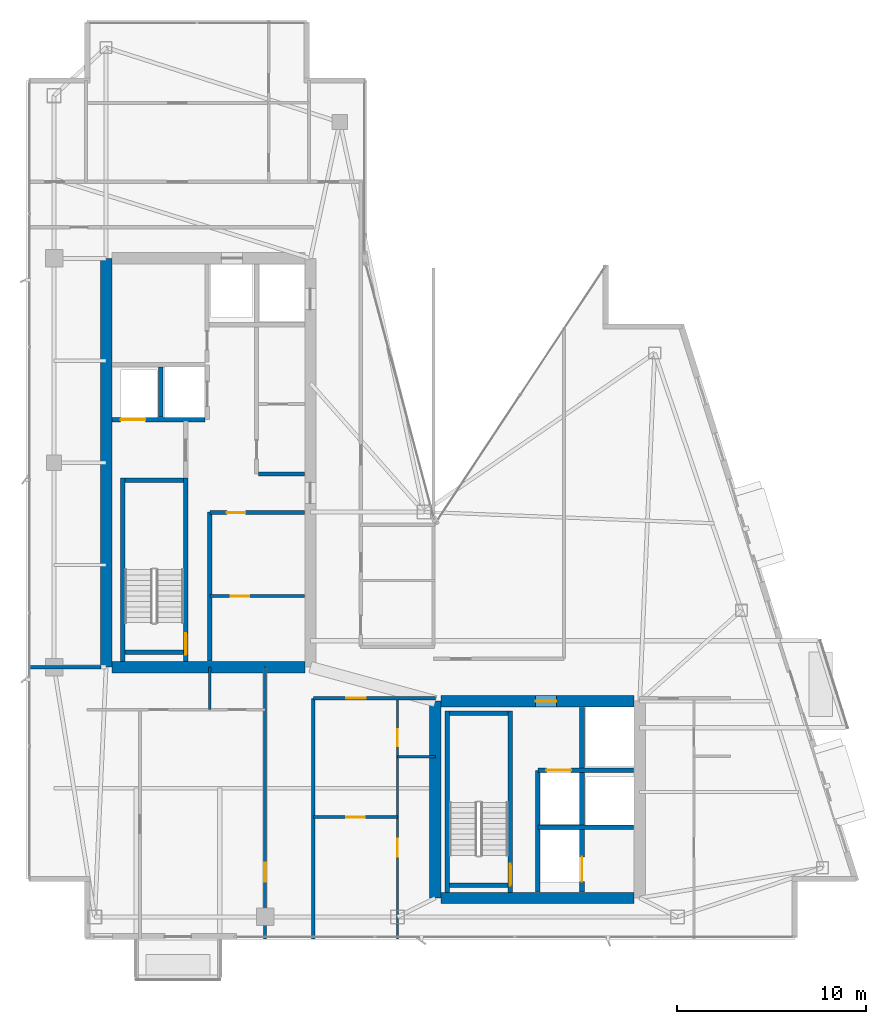
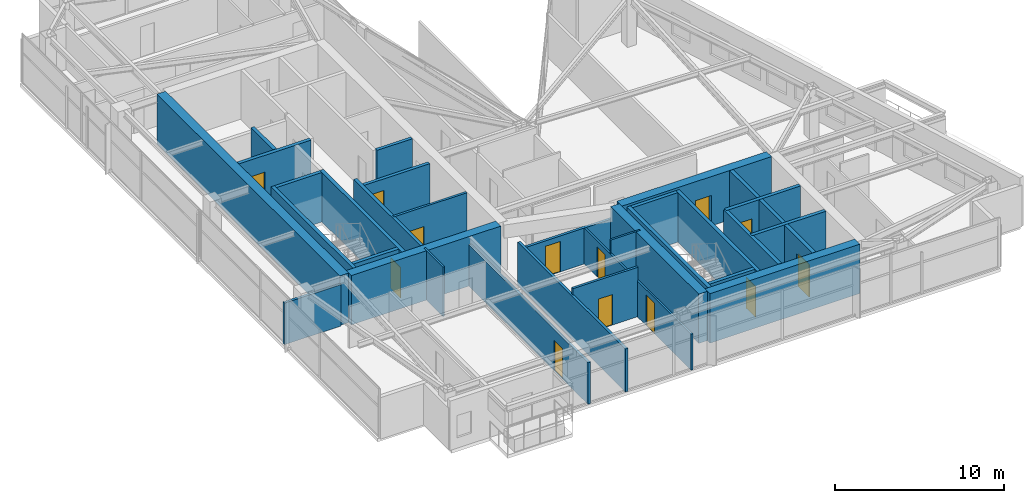
# One storey, part 23 of 28: 31 walls, 13 doors, 13 openings.
"""IFC4 building model written with IfcOpenShell, lengths in metres."""

from ifc_helpers import new_model, si_unit, direction, frame, frame_2d, origin, place, context, subcontext, project, spatial, rectangle, extrude, material, layer, layer_set, type_object, element, fill, save


model = new_model("IFC4")

# Units and contexts
model_context = context("Model", 3, precision=1e-05, world=origin(), true_north=direction((0.0, 1.0)))
body_context = subcontext(model_context, "Body", "Model", "MODEL_VIEW")
ifc_project = project(units=[si_unit("LENGTHUNIT", "METRE"), si_unit("AREAUNIT", "SQUARE_METRE"), si_unit("VOLUMEUNIT", "CUBIC_METRE"), si_unit("PLANEANGLEUNIT", "RADIAN"), si_unit("MASSUNIT", "GRAM", prefix="KILO")], contexts=[model_context])

# Site, building, storey
site_placement = place(None, origin())
site = spatial("IfcSite", under=ifc_project, at=site_placement, CompositionType="ELEMENT")
building_placement = place(site_placement, origin())
building = spatial("IfcBuilding", under=site, at=building_placement, Name="Calvorn Quay Hotel", CompositionType="ELEMENT")
storey_placement = place(building_placement, frame((0.0, 0.0, 271.10009765625)))
storey = spatial("IfcBuildingStorey", under=building, at=storey_placement, Name="L67", CompositionType="ELEMENT", Elevation=271.10009765625)

# Walls
ifc_material_1 = material(Name="Concrete C45", Category="concrete")
ifc_layer_1 = layer(ifc_material_1, 0.60009765625)
ifc_layer_set_1 = layer_set([ifc_layer_1], Name="WL-CORE-600")
wall_type_1 = type_object("IfcWallType", Name="WL-CORE-600", PredefinedType="SHEAR", material=ifc_layer_set_1)
wall_1_placement = place(storey_placement, frame((4.199951171875, 16.800048828125, 0.0), z_axis=(0.0, 0.0, 1.0), x_axis=(0.0, 1.0, 0.0)))
element("IfcWall", 1, at=wall_1_placement, inside=storey, type_object=wall_type_1, Name="West Core Shear Wall W (L67)", PredefinedType="SHEAR", context=body_context, shape_type="SweptSolid", body=[
    extrude(rectangle(XDim=21.599853515625, YDim=0.60009765625, at=frame_2d((10.7998046875, 0.0))), origin(), (0.0, 0.0, 1.0), 3.559814453125),
])
wall_2_placement = place(storey_placement, frame((4.5, 16.800048828125, 0.0), z_axis=(0.0, 0.0, 1.0), x_axis=(1.0, 0.0, 0.0)))
element("IfcWall", 2, at=wall_2_placement, inside=storey, type_object=wall_type_1, Name="West Core Shear Wall S (L67)", PredefinedType="SHEAR", context=body_context, shape_type="SweptSolid", body=[
    extrude(rectangle(XDim=10.199951171875, YDim=0.60009765625, at=frame_2d((5.10009765625, 0.0))), origin(), (0.0, 0.0, 1.0), 3.559814453125),
])
wall_3_placement = place(storey_placement, frame((21.60009765625, 4.60009765625, 0.0), z_axis=(0.0, 0.0, 1.0), x_axis=(0.0, 1.0, 0.0)))
element("IfcWall", 3, at=wall_3_placement, inside=storey, type_object=wall_type_1, Name="East Core Shear Wall W (L67)", PredefinedType="SHEAR", context=body_context, shape_type="SweptSolid", body=[
    extrude(rectangle(XDim=10.39990234375, YDim=0.60009765625, at=frame_2d((5.199951171875, 0.0))), origin(), (0.0, 0.0, 1.0), 3.559814453125),
])

# Wall, opening, door
wall_4_placement = place(storey_placement, frame((21.89990234375, 15.0, 0.0), z_axis=(0.0, 0.0, 1.0), x_axis=(1.0, 0.0, 0.0)))
wall_4 = element("IfcWall", 4, at=wall_4_placement, inside=storey, type_object=wall_type_1, Name="East Core Shear Wall N (L67)", PredefinedType="SHEAR", context=body_context, shape_type="SweptSolid", body=[
    extrude(rectangle(XDim=10.2001953125, YDim=0.60009765625, at=frame_2d((5.10009765625, 0.0))), origin(), (0.0, 0.0, 1.0), 3.559814453125),
])
opening_1_placement = place(wall_4_placement, frame((5.0, 0.0, 0.0)))
opening_1 = element("IfcOpeningElement", 5, at=opening_1_placement, cuts=wall_4, Name="Opening D-L67-FLE", PredefinedType="OPENING", context=body_context, shape_type="SweptSolid", body=[
    extrude(rectangle(XDim=1.10009765625, YDim=2.199951171875, at=frame_2d((0.550048828125, 1.10009765625))), frame((0.0, 0.31005859375, 0.0), z_axis=(0.0, -1.0, 0.0), x_axis=(1.0, 0.0, 0.0)), (0.0, 0.0, 1.0), 0.6201171875),
])
ifc_material_2 = material(Name="Smoke-Sealed Steel Class A Fire Door", Category="steel")
door_type_1 = type_object("IfcDoorType", Name="DR-FFLOBBY-1100", OperationType="NOTDEFINED", PredefinedType="DOOR", material=ifc_material_2)
door_1_placement = place(opening_1_placement, origin())
door_1 = element("IfcDoor", 6, at=door_1_placement, inside=storey, type_object=door_type_1, Name="East Firefighting Lobby Fire Door (L67)", OperationType="SINGLE_SWING_LEFT", OverallHeight=2.199951171875, OverallWidth=1.10009765625, PredefinedType="DOOR", context=body_context, shape_type="SweptSolid", body=[
    extrude(rectangle(XDim=1.10009765625, YDim=2.199951171875, at=frame_2d((0.550048828125, 1.10009765625))), frame((0.0, 0.02490234375, 0.0), z_axis=(0.0, -1.0, 0.0), x_axis=(1.0, 0.0, 0.0)), (0.0, 0.0, 1.0), 0.050048828125),
])
fill(opening_1, door_1)

# Walls
wall_5_placement = place(storey_placement, frame((21.89990234375, 4.60009765625, 0.0), z_axis=(0.0, 0.0, 1.0), x_axis=(1.0, 0.0, 0.0)))
element("IfcWall", 7, at=wall_5_placement, inside=storey, type_object=wall_type_1, Name="East Core Shear Wall S (L67)", PredefinedType="SHEAR", context=body_context, shape_type="SweptSolid", body=[
    extrude(rectangle(XDim=10.2001953125, YDim=0.60009765625, at=frame_2d((5.10009765625, 0.0))), origin(), (0.0, 0.0, 1.0), 3.559814453125),
])
ifc_material_3 = material(Name="Acoustic Fireboard Steel-Stud Partition", Category="steel")
ifc_layer_2 = layer(ifc_material_3, 0.179931640625)
ifc_layer_set_2 = layer_set([ifc_layer_2], Name="WL-CORR-FIRE-180")
wall_type_2 = type_object("IfcWallType", Name="WL-CORR-FIRE-180", PredefinedType="PARTITIONING", material=ifc_layer_set_2)
wall_6_placement = place(storey_placement, frame((0.080078125, 16.800048828125, 0.0), z_axis=(0.0, 0.0, 1.0), x_axis=(1.0, 0.0, 0.0)))
element("IfcWall", 8, at=wall_6_placement, inside=storey, type_object=wall_type_2, Name="Partition Wall L67-WL-WBAY-S-WALL", PredefinedType="PARTITIONING", context=body_context, shape_type="SweptSolid", body=[
    extrude(rectangle(XDim=3.849853515625, YDim=0.179931640625, at=frame_2d((1.9248046875, 0.0))), origin(), (0.0, 0.0, 1.0), 2.989990234375),
])

# Wall, opening, door
wall_7_placement = place(storey_placement, frame((12.60009765625, 2.43994140625, 0.0), z_axis=(0.0, 0.0, 1.0), x_axis=(0.0, 1.0, 0.0)))
wall_7 = element("IfcWall", 9, at=wall_7_placement, inside=storey, type_object=wall_type_2, Name="Partition Wall L67-WL-CORR-SW-LEG-W", PredefinedType="PARTITIONING", context=body_context, shape_type="SweptSolid", body=[
    extrude(rectangle(XDim=14.360107421875, YDim=0.179931640625, at=frame_2d((7.18017578125, 0.0))), origin(), (0.0, 0.0, 1.0), 2.989990234375),
])
opening_2_placement = place(wall_7_placement, frame((3.010009765625, 0.0, 0.0)))
opening_2 = element("IfcOpeningElement", 10, at=opening_2_placement, cuts=wall_7, Name="Opening D-L67-U01", PredefinedType="OPENING", context=body_context, shape_type="SweptSolid", body=[
    extrude(rectangle(XDim=1.02001953125, YDim=2.199951171875, at=frame_2d((0.510009765625, 1.10009765625))), frame((0.0, 0.099853515625, 0.0), z_axis=(0.0, -1.0, 0.0), x_axis=(1.0, 0.0, 0.0)), (0.0, 0.0, 1.0), 0.199951171875),
])
ifc_material_4 = material(Name="Solid-Core Walnut Veneer Hotel Fire Door")
door_type_2 = type_object("IfcDoorType", Name="DR-GUEST-ENTRY-1020", OperationType="NOTDEFINED", PredefinedType="DOOR", material=ifc_material_4)
door_2_placement = place(opening_2_placement, origin())
door_2 = element("IfcDoor", 11, at=door_2_placement, inside=storey, type_object=door_type_2, Name="South-West Unit Door U01 (L67)", OperationType="SINGLE_SWING_LEFT", OverallHeight=2.199951171875, OverallWidth=1.02001953125, PredefinedType="DOOR", context=body_context, shape_type="SweptSolid", body=[
    extrude(rectangle(XDim=1.02001953125, YDim=2.199951171875, at=frame_2d((0.510009765625, 1.10009765625))), frame((0.0, 0.02490234375, 0.0), z_axis=(0.0, -1.0, 0.0), x_axis=(1.0, 0.0, 0.0)), (0.0, 0.0, 1.0), 0.050048828125),
])
fill(opening_2, door_2)

# Wall
wall_8_placement = place(storey_placement, frame((15.14990234375, 2.43994140625, 0.0), z_axis=(0.0, 0.0, 1.0), x_axis=(0.0, 1.0, 0.0)))
element("IfcWall", 12, at=wall_8_placement, inside=storey, type_object=wall_type_2, Name="Partition Wall L67-WL-CORR-SW-W", PredefinedType="PARTITIONING", context=body_context, shape_type="SweptSolid", body=[
    extrude(rectangle(XDim=12.7099609375, YDim=0.179931640625, at=frame_2d((6.35498046875, 0.0))), origin(), (0.0, 0.0, 1.0), 3.08984375),
])

# Wall, opening, door
wall_9_placement = place(storey_placement, frame((15.14990234375, 15.14990234375, 0.0), z_axis=(0.0, 0.0, 1.0), x_axis=(1.0, 0.0, 0.0)))
wall_9 = element("IfcWall", 13, at=wall_9_placement, inside=storey, type_object=wall_type_2, Name="Partition Wall L67-WL-SC-CORR-S", PredefinedType="PARTITIONING", context=body_context, shape_type="SweptSolid", body=[
    extrude(rectangle(XDim=6.4501953125, YDim=0.179931640625, at=frame_2d((3.22509765625, 0.0))), origin(), (0.0, 0.0, 1.0), 2.58984375),
])
opening_3_placement = place(wall_9_placement, frame((1.739990234375, 0.0, 0.0)))
opening_3 = element("IfcOpeningElement", 14, at=opening_3_placement, cuts=wall_9, Name="Opening D-L67-U02", PredefinedType="OPENING", context=body_context, shape_type="SweptSolid", body=[
    extrude(rectangle(XDim=1.02001953125, YDim=2.199951171875, at=frame_2d((0.510009765625, 1.10009765625))), frame((0.0, 0.099853515625, 0.0), z_axis=(0.0, -1.0, 0.0), x_axis=(1.0, 0.0, 0.0)), (0.0, 0.0, 1.0), 0.199951171875),
])
door_3_placement = place(opening_3_placement, origin())
door_3 = element("IfcDoor", 15, at=door_3_placement, inside=storey, type_object=door_type_2, Name="Harbour Central Unit Door (L67)", OperationType="SINGLE_SWING_LEFT", OverallHeight=2.199951171875, OverallWidth=1.02001953125, PredefinedType="DOOR", context=body_context, shape_type="SweptSolid", body=[
    extrude(rectangle(XDim=1.02001953125, YDim=2.199951171875, at=frame_2d((0.510009765625, 1.10009765625))), frame((0.0, 0.02490234375, 0.0), z_axis=(0.0, -1.0, 0.0), x_axis=(1.0, 0.0, 0.0)), (0.0, 0.0, 1.0), 0.050048828125),
])
fill(opening_3, door_3)

# Walls
ifc_material_5 = material(Name="Moisture-Resistant Tile-Backed Partition")
ifc_layer_3 = layer(ifc_material_5, 0.125)
ifc_layer_set_3 = layer_set([ifc_layer_3], Name="WL-ENSUITE-125")
wall_type_3 = type_object("IfcWallType", Name="WL-ENSUITE-125", PredefinedType="PARTITIONING", material=ifc_layer_set_3)
wall_10_placement = place(storey_placement, frame((9.679931640625, 14.550048828125, 0.0), z_axis=(0.0, 0.0, 1.0), x_axis=(0.0, 1.0, 0.0)))
element("IfcWall", 16, at=wall_10_placement, inside=storey, type_object=wall_type_3, Name="Partition Wall L67-WL-U01-BDV", PredefinedType="PARTITIONING", context=body_context, shape_type="SweptSolid", body=[
    extrude(rectangle(XDim=2.25, YDim=0.125, at=frame_2d((1.125, 0.0))), origin(), (0.0, 0.0, 1.0), 3.559814453125),
])
wall_11_placement = place(storey_placement, frame((19.60009765625, 12.070068359375, 0.0), z_axis=(0.0, 0.0, 1.0), x_axis=(1.0, 0.0, 0.0)))
element("IfcWall", 17, at=wall_11_placement, inside=storey, type_object=wall_type_3, Name="Partition Wall L67-WL-U02-BDV", PredefinedType="PARTITIONING", context=body_context, shape_type="SweptSolid", body=[
    extrude(rectangle(XDim=2.0, YDim=0.125, at=frame_2d((1.0, 0.0))), origin(), (0.0, 0.0, 1.0), 3.559814453125),
])

# Wall, openings, doors
wall_12_placement = place(storey_placement, frame((19.60009765625, 2.43994140625, 0.0), z_axis=(0.0, 0.0, 1.0), x_axis=(0.0, 1.0, 0.0)))
wall_12 = element("IfcWall", 18, at=wall_12_placement, inside=storey, type_object=wall_type_3, Name="Partition Wall L67-WL-U02-BV", PredefinedType="PARTITIONING", context=body_context, shape_type="SweptSolid", body=[
    extrude(rectangle(XDim=12.7099609375, YDim=0.125, at=frame_2d((6.35498046875, 0.0))), origin(), (0.0, 0.0, 1.0), 2.58984375),
])
opening_4_placement = place(wall_12_placement, frame((4.340087890625, 0.0, 0.0)))
opening_4 = element("IfcOpeningElement", 19, at=opening_4_placement, cuts=wall_12, Name="Opening D-L67-S02", PredefinedType="OPENING", context=body_context, shape_type="SweptSolid", body=[
    extrude(rectangle(XDim=0.9599609375, YDim=2.199951171875, at=frame_2d((0.47998046875, 1.10009765625))), frame((0.0, 0.072509765625, 0.0), z_axis=(0.0, -1.0, 0.0), x_axis=(1.0, 0.0, 0.0)), (0.0, 0.0, 1.0), 0.14501953125),
])
opening_5_placement = place(wall_12_placement, frame((10.179931640625, 0.0, 0.0)))
opening_5 = element("IfcOpeningElement", 20, at=opening_5_placement, cuts=wall_12, Name="Opening D-L67-E02", PredefinedType="OPENING", context=body_context, shape_type="SweptSolid", body=[
    extrude(rectangle(XDim=0.89990234375, YDim=2.14990234375, at=frame_2d((0.449951171875, 1.074951171875))), frame((0.0, 0.072509765625, 0.0), z_axis=(0.0, -1.0, 0.0), x_axis=(1.0, 0.0, 0.0)), (0.0, 0.0, 1.0), 0.14501953125),
])
ifc_material_6 = material(Name="Moisture-Sealed Timber En-Suite Door", Category="wood")
door_type_3 = type_object("IfcDoorType", Name="DR-ENSUITE-900", OperationType="NOTDEFINED", PredefinedType="DOOR", material=ifc_material_6)
door_4_placement = place(opening_5_placement, origin())
door_4 = element("IfcDoor", 21, at=door_4_placement, inside=storey, type_object=door_type_3, Name="En-Suite Door 02", OperationType="SINGLE_SWING_RIGHT", OverallHeight=2.14990234375, OverallWidth=0.89990234375, PredefinedType="DOOR", context=body_context, shape_type="SweptSolid", body=[
    extrude(rectangle(XDim=0.89990234375, YDim=2.14990234375, at=frame_2d((0.449951171875, 1.074951171875))), frame((0.0, 0.02490234375, 0.0), z_axis=(0.0, -1.0, 0.0), x_axis=(1.0, 0.0, 0.0)), (0.0, 0.0, 1.0), 0.050048828125),
])
fill(opening_5, door_4)
ifc_material_7 = material(Name="Solid Timber Internal Suite Door", Category="wood")
door_type_4 = type_object("IfcDoorType", Name="DR-SUITE-INT-960", OperationType="NOTDEFINED", PredefinedType="DOOR", material=ifc_material_7)
door_5_placement = place(opening_4_placement, origin())
door_5 = element("IfcDoor", 22, at=door_5_placement, inside=storey, type_object=door_type_4, Name="Executive Study Door 02", OperationType="SINGLE_SWING_LEFT", OverallHeight=2.199951171875, OverallWidth=0.9599609375, PredefinedType="DOOR", context=body_context, shape_type="SweptSolid", body=[
    extrude(rectangle(XDim=0.9599609375, YDim=2.199951171875, at=frame_2d((0.47998046875, 1.10009765625))), frame((0.0, 0.02490234375, 0.0), z_axis=(0.0, -1.0, 0.0), x_axis=(1.0, 0.0, 0.0)), (0.0, 0.0, 1.0), 0.050048828125),
])
fill(opening_4, door_5)

# Wall, opening, door
ifc_material_8 = material(Name="Double-Stud Acoustic Gypsum Partition")
ifc_layer_4 = layer(ifc_material_8, 0.159912109375)
ifc_layer_set_4 = layer_set([ifc_layer_4], Name="WL-INTERSUITE-160")
wall_type_4 = type_object("IfcWallType", Name="WL-INTERSUITE-160", PredefinedType="PARTITIONING", material=ifc_layer_set_4)
wall_13_placement = place(storey_placement, frame((9.679931640625, 20.550048828125, 0.0), z_axis=(0.0, 0.0, 1.0), x_axis=(1.0, 0.0, 0.0)))
wall_13 = element("IfcWall", 23, at=wall_13_placement, inside=storey, type_object=wall_type_4, Name="Partition Wall L67-WL-CWW-FR-SPLIT", PredefinedType="PARTITIONING", context=body_context, shape_type="SweptSolid", body=[
    extrude(rectangle(XDim=5.0, YDim=0.159912109375, at=frame_2d((2.5, 0.0))), origin(), (0.0, 0.0, 1.0), 3.559814453125),
])
opening_6_placement = place(wall_13_placement, frame((1.10009765625, 0.0, 0.0)))
opening_6 = element("IfcOpeningElement", 24, at=opening_6_placement, cuts=wall_13, Name="Opening D-L67-FRL1", PredefinedType="OPENING", context=body_context, shape_type="SweptSolid", body=[
    extrude(rectangle(XDim=0.97998046875, YDim=2.14990234375, at=frame_2d((0.489990234375, 1.074951171875))), frame((0.0, 0.08984375, 0.0), z_axis=(0.0, -1.0, 0.0), x_axis=(1.0, 0.0, 0.0)), (0.0, 0.0, 1.0), 0.179931640625),
])
ifc_material_9 = material(Name="Painted Steel Housekeeping/Riser Fire Door", Category="steel")
door_type_5 = type_object("IfcDoorType", Name="DR-SERVICE-980", OperationType="NOTDEFINED", PredefinedType="DOOR", material=ifc_material_9)
door_6_placement = place(opening_6_placement, origin())
door_6 = element("IfcDoor", 25, at=door_6_placement, inside=storey, type_object=door_type_5, Name="Linen Store Room Door (L67)", OperationType="SINGLE_SWING_LEFT", OverallHeight=2.14990234375, OverallWidth=0.97998046875, PredefinedType="DOOR", context=body_context, shape_type="SweptSolid", body=[
    extrude(rectangle(XDim=0.97998046875, YDim=2.14990234375, at=frame_2d((0.489990234375, 1.074951171875))), frame((0.0, 0.02490234375, 0.0), z_axis=(0.0, -1.0, 0.0), x_axis=(1.0, 0.0, 0.0)), (0.0, 0.0, 1.0), 0.050048828125),
])
fill(opening_6, door_6)

wall_14_placement = place(storey_placement, frame((15.14990234375, 8.8701171875, 0.0), z_axis=(0.0, 0.0, 1.0), x_axis=(1.0, 0.0, 0.0)))
wall_14 = element("IfcWall", 26, at=wall_14_placement, inside=storey, type_object=wall_type_4, Name="Partition Wall L67-WL-U02-MSP", PredefinedType="PARTITIONING", context=body_context, shape_type="SweptSolid", body=[
    extrude(rectangle(XDim=4.4501953125, YDim=0.159912109375, at=frame_2d((2.22509765625, 0.0))), origin(), (0.0, 0.0, 1.0), 3.559814453125),
])
opening_7_placement = place(wall_14_placement, frame((1.75, 0.0, 0.0)))
opening_7 = element("IfcOpeningElement", 27, at=opening_7_placement, cuts=wall_14, Name="Opening D-L67-M02", PredefinedType="OPENING", context=body_context, shape_type="SweptSolid", body=[
    extrude(rectangle(XDim=0.9599609375, YDim=2.199951171875, at=frame_2d((0.47998046875, 1.10009765625))), frame((0.0, 0.08984375, 0.0), z_axis=(0.0, -1.0, 0.0), x_axis=(1.0, 0.0, 0.0)), (0.0, 0.0, 1.0), 0.179931640625),
])
door_7_placement = place(opening_7_placement, origin())
door_7 = element("IfcDoor", 28, at=door_7_placement, inside=storey, type_object=door_type_4, Name="Suite Bedroom Door 02", OperationType="SINGLE_SWING_LEFT", OverallHeight=2.199951171875, OverallWidth=0.9599609375, PredefinedType="DOOR", context=body_context, shape_type="SweptSolid", body=[
    extrude(rectangle(XDim=0.9599609375, YDim=2.199951171875, at=frame_2d((0.47998046875, 1.10009765625))), frame((0.0, 0.02490234375, 0.0), z_axis=(0.0, -1.0, 0.0), x_axis=(1.0, 0.0, 0.0)), (0.0, 0.0, 1.0), 0.050048828125),
])
fill(opening_7, door_7)

# Wall
ifc_material_10 = material(Name="Autoclaved Aerated Masonry Block", Category="masonry")
ifc_layer_5 = layer(ifc_material_10, 0.219970703125)
ifc_layer_set_5 = layer_set([ifc_layer_5], Name="WL-LOBBY-FIRE-220")
wall_type_5 = type_object("IfcWallType", Name="WL-LOBBY-FIRE-220", PredefinedType="SOLIDWALL", material=ifc_layer_set_5)
wall_15_placement = place(storey_placement, frame((9.679931640625, 17.1201171875, 0.0), z_axis=(0.0, 0.0, 1.0), x_axis=(0.0, 1.0, 0.0)))
element("IfcWall", 29, at=wall_15_placement, inside=storey, type_object=wall_type_5, Name="Partition Wall L67-WL-CWW-STW-HALL-E", PredefinedType="SOLIDWALL", context=body_context, shape_type="SweptSolid", body=[
    extrude(rectangle(XDim=7.8798828125, YDim=0.219970703125, at=frame_2d((3.93994140625, 0.0))), origin(), (0.0, 0.0, 1.0), 3.559814453125),
])

# Wall, opening, door
wall_16_placement = place(storey_placement, frame((9.679931640625, 24.969970703125, 0.0), z_axis=(0.0, 0.0, 1.0), x_axis=(1.0, 0.0, 0.0)))
wall_16 = element("IfcWall", 30, at=wall_16_placement, inside=storey, type_object=wall_type_5, Name="Partition Wall L67-WL-CWW-FR-N", PredefinedType="SOLIDWALL", context=body_context, shape_type="SweptSolid", body=[
    extrude(rectangle(XDim=5.0, YDim=0.219970703125, at=frame_2d((2.5, 0.0))), origin(), (0.0, 0.0, 1.0), 2.989990234375),
])
opening_8_placement = place(wall_16_placement, frame((0.89990234375, 0.0, 0.0)))
opening_8 = element("IfcOpeningElement", 31, at=opening_8_placement, cuts=wall_16, Name="Opening D-L67-FRL2", PredefinedType="OPENING", context=body_context, shape_type="SweptSolid", body=[
    extrude(rectangle(XDim=0.97998046875, YDim=2.14990234375, at=frame_2d((0.489990234375, 1.074951171875))), frame((0.0, 0.119873046875, 0.0), z_axis=(0.0, -1.0, 0.0), x_axis=(1.0, 0.0, 0.0)), (0.0, 0.0, 1.0), 0.239990234375),
])
door_8_placement = place(opening_8_placement, origin())
door_8 = element("IfcDoor", 32, at=door_8_placement, inside=storey, type_object=door_type_5, Name="Beverage Pantry Door (L67)", OperationType="SINGLE_SWING_RIGHT", OverallHeight=2.14990234375, OverallWidth=0.97998046875, PredefinedType="DOOR", context=body_context, shape_type="SweptSolid", body=[
    extrude(rectangle(XDim=0.97998046875, YDim=2.14990234375, at=frame_2d((0.489990234375, 1.074951171875))), frame((0.0, 0.02490234375, 0.0), z_axis=(0.0, -1.0, 0.0), x_axis=(1.0, 0.0, 0.0)), (0.0, 0.0, 1.0), 0.050048828125),
])
fill(opening_8, door_8)

# Walls
wall_17_placement = place(storey_placement, frame((12.25, 27.0, 0.0), z_axis=(0.0, 0.0, 1.0), x_axis=(1.0, 0.0, 0.0)))
element("IfcWall", 33, at=wall_17_placement, inside=storey, type_object=wall_type_5, Name="Partition Wall L67-WL-CWW-FM-S", PredefinedType="SOLIDWALL", context=body_context, shape_type="SweptSolid", body=[
    extrude(rectangle(XDim=2.429931640625, YDim=0.219970703125, at=frame_2d((1.21484375, 0.0))), origin(), (0.0, 0.0, 1.0), 3.559814453125),
])
ifc_material_11 = material(Name="Concrete C40", Category="concrete")
ifc_layer_6 = layer(ifc_material_11, 0.239990234375)
ifc_layer_set_6 = layer_set([ifc_layer_6], Name="WL-SHAFT-240")
wall_type_6 = type_object("IfcWallType", Name="WL-SHAFT-240", PredefinedType="SOLIDWALL", material=ifc_layer_set_6)
wall_18_placement = place(storey_placement, frame((5.080078125, 17.10009765625, 0.0), z_axis=(0.0, 0.0, 1.0), x_axis=(0.0, 1.0, 0.0)))
element("IfcWall", 34, at=wall_18_placement, inside=storey, type_object=wall_type_6, Name="Stair STW Shaft Wall W (L67)", PredefinedType="SOLIDWALL", context=body_context, shape_type="SweptSolid", body=[
    extrude(rectangle(XDim=9.68994140625, YDim=0.239990234375, at=frame_2d((4.844970703125, 0.0))), origin(), (0.0, 0.0, 1.0), 3.559814453125),
])

# Wall, opening, door
wall_19_placement = place(storey_placement, frame((8.419921875, 17.10009765625, 0.0), z_axis=(0.0, 0.0, 1.0), x_axis=(0.0, 1.0, 0.0)))
wall_19 = element("IfcWall", 35, at=wall_19_placement, inside=storey, type_object=wall_type_6, Name="Stair STW Shaft Wall E (L67)", PredefinedType="SOLIDWALL", context=body_context, shape_type="SweptSolid", body=[
    extrude(rectangle(XDim=9.68994140625, YDim=0.239990234375, at=frame_2d((4.844970703125, 0.0))), origin(), (0.0, 0.0, 1.0), 3.559814453125),
])
opening_9_placement = place(wall_19_placement, frame((0.35009765625, 0.0, 0.0)))
opening_9 = element("IfcOpeningElement", 36, at=opening_9_placement, cuts=wall_19, Name="Opening D-L67-STW", PredefinedType="OPENING", context=body_context, shape_type="SweptSolid", body=[
    extrude(rectangle(XDim=1.14990234375, YDim=2.199951171875, at=frame_2d((0.574951171875, 1.10009765625))), frame((0.0, 0.1298828125, 0.0), z_axis=(0.0, -1.0, 0.0), x_axis=(1.0, 0.0, 0.0)), (0.0, 0.0, 1.0), 0.260009765625),
])
ifc_material_12 = material(Name="Galvanised Steel Class A Fire Door", Category="steel")
door_type_6 = type_object("IfcDoorType", Name="DR-STAIR-SMOKE-1150", OperationType="NOTDEFINED", PredefinedType="DOOR", material=ifc_material_12)
door_9_placement = place(opening_9_placement, origin())
door_9 = element("IfcDoor", 37, at=door_9_placement, inside=storey, type_object=door_type_6, Name="Stair ST-W Fire Door (L67)", OperationType="SINGLE_SWING_LEFT", OverallHeight=2.199951171875, OverallWidth=1.14990234375, PredefinedType="DOOR", context=body_context, shape_type="SweptSolid", body=[
    extrude(rectangle(XDim=1.14990234375, YDim=2.199951171875, at=frame_2d((0.574951171875, 1.10009765625))), frame((0.0, 0.02490234375, 0.0), z_axis=(0.0, -1.0, 0.0), x_axis=(1.0, 0.0, 0.0)), (0.0, 0.0, 1.0), 0.050048828125),
])
fill(opening_9, door_9)

# Walls
for number, where, z_axis, x_axis, name in (
    (38, (5.199951171875, 17.580078125, 0.0), (0.0, 0.0, 1.0), (1.0, 0.0, 0.0), "Stair STW Shaft Wall S (L67)"),
    (39, (5.199951171875, 26.669921875, 0.0), (0.0, 0.0, 1.0), (1.0, 0.0, 0.0), "Stair STW Shaft Wall N (L67)"),
):
    element("IfcWall", number, at=place(storey_placement, frame(where, z_axis=z_axis, x_axis=x_axis)), inside=storey, type_object=wall_type_6, Name=name, PredefinedType="SOLIDWALL", context=body_context, shape_type="SweptSolid", body=[
        extrude(rectangle(XDim=3.10009765625, YDim=0.239990234375, at=frame_2d((1.550048828125, 0.0))), origin(), (0.0, 0.0, 1.0), 3.559814453125),
    ])
wall_20_placement = place(storey_placement, frame((22.22998046875, 4.89990234375, 0.0), z_axis=(0.0, 0.0, 1.0), x_axis=(0.0, 1.0, 0.0)))
element("IfcWall", 40, at=wall_20_placement, inside=storey, type_object=wall_type_6, Name="Stair STE Shaft Wall W (L67)", PredefinedType="SOLIDWALL", context=body_context, shape_type="SweptSolid", body=[
    extrude(rectangle(XDim=9.590087890625, YDim=0.239990234375, at=frame_2d((4.794921875, 0.0))), origin(), (0.0, 0.0, 1.0), 3.559814453125),
])

# Wall, opening, door
wall_21_placement = place(storey_placement, frame((25.570068359375, 4.89990234375, 0.0), z_axis=(0.0, 0.0, 1.0), x_axis=(0.0, 1.0, 0.0)))
wall_21 = element("IfcWall", 41, at=wall_21_placement, inside=storey, type_object=wall_type_6, Name="Stair STE Shaft Wall E (L67)", PredefinedType="SOLIDWALL", context=body_context, shape_type="SweptSolid", body=[
    extrude(rectangle(XDim=9.590087890625, YDim=0.239990234375, at=frame_2d((4.794921875, 0.0))), origin(), (0.0, 0.0, 1.0), 3.559814453125),
])
opening_10_placement = place(wall_21_placement, frame((0.35009765625, 0.0, 0.0)))
opening_10 = element("IfcOpeningElement", 42, at=opening_10_placement, cuts=wall_21, Name="Opening D-L67-STE", PredefinedType="OPENING", context=body_context, shape_type="SweptSolid", body=[
    extrude(rectangle(XDim=1.14990234375, YDim=2.199951171875, at=frame_2d((0.574951171875, 1.10009765625))), frame((0.0, 0.1298828125, 0.0), z_axis=(0.0, -1.0, 0.0), x_axis=(1.0, 0.0, 0.0)), (0.0, 0.0, 1.0), 0.260009765625),
])
door_10_placement = place(opening_10_placement, origin())
door_10 = element("IfcDoor", 43, at=door_10_placement, inside=storey, type_object=door_type_6, Name="Stair ST-E Fire Door (L67)", OperationType="SINGLE_SWING_RIGHT", OverallHeight=2.199951171875, OverallWidth=1.14990234375, PredefinedType="DOOR", context=body_context, shape_type="SweptSolid", body=[
    extrude(rectangle(XDim=1.14990234375, YDim=2.199951171875, at=frame_2d((0.574951171875, 1.10009765625))), frame((0.0, 0.02490234375, 0.0), z_axis=(0.0, -1.0, 0.0), x_axis=(1.0, 0.0, 0.0)), (0.0, 0.0, 1.0), 0.050048828125),
])
fill(opening_10, door_10)

# Walls
for number, where, z_axis, x_axis, name in (
    (44, (22.35009765625, 5.280029296875, 0.0), (0.0, 0.0, 1.0), (1.0, 0.0, 0.0), "Stair STE Shaft Wall S (L67)"),
    (45, (22.35009765625, 14.3701171875, 0.0), (0.0, 0.0, 1.0), (1.0, 0.0, 0.0), "Stair STE Shaft Wall N (L67)"),
):
    element("IfcWall", number, at=place(storey_placement, frame(where, z_axis=z_axis, x_axis=x_axis)), inside=storey, type_object=wall_type_6, Name=name, PredefinedType="SOLIDWALL", context=body_context, shape_type="SweptSolid", body=[
        extrude(rectangle(XDim=3.099853515625, YDim=0.239990234375, at=frame_2d((1.5498046875, 0.0))), origin(), (0.0, 0.0, 1.0), 3.559814453125),
    ])

# Wall, opening, door
wall_22_placement = place(storey_placement, frame((4.52001953125, 29.8798828125, 0.0), z_axis=(0.0, 0.0, 1.0), x_axis=(1.0, 0.0, 0.0)))
wall_22 = element("IfcWall", 46, at=wall_22_placement, inside=storey, type_object=wall_type_6, Name="Partition Wall L67-WL-CWW-FLW-S", PredefinedType="SOLIDWALL", context=body_context, shape_type="SweptSolid", body=[
    extrude(rectangle(XDim=4.89990234375, YDim=0.239990234375, at=frame_2d((2.449951171875, 0.0))), origin(), (0.0, 0.0, 1.0), 3.559814453125),
])
opening_11_placement = place(wall_22_placement, frame((0.449951171875, 0.0, 0.0)))
opening_11 = element("IfcOpeningElement", 47, at=opening_11_placement, cuts=wall_22, Name="Opening LD-L67-FLW1", PredefinedType="OPENING", context=body_context, shape_type="SweptSolid", body=[
    extrude(rectangle(XDim=1.300048828125, YDim=2.35009765625, at=frame_2d((0.64990234375, 1.175048828125))), frame((0.0, 0.1298828125, 0.0), z_axis=(0.0, -1.0, 0.0), x_axis=(1.0, 0.0, 0.0)), (0.0, 0.0, 1.0), 0.260009765625),
])
ifc_material_13 = material(Name="Champagne-Bronze Sliding Express Lift Landing Door")
door_type_7 = type_object("IfcDoorType", Name="DR-LIFT-SHUTTLE-1300", OperationType="NOTDEFINED", PredefinedType="DOOR", material=ifc_material_13)
door_11_placement = place(opening_11_placement, origin())
door_11 = element("IfcDoor", 48, at=door_11_placement, inside=storey, type_object=door_type_7, Name="Firefighting Lift FL-W1 Landing Door (L67)", OperationType="DOUBLE_DOOR_SLIDING", OverallHeight=2.35009765625, OverallWidth=1.300048828125, PredefinedType="DOOR", context=body_context, shape_type="SweptSolid", body=[
    extrude(rectangle(XDim=1.300048828125, YDim=2.35009765625, at=frame_2d((0.64990234375, 1.175048828125))), frame((0.0, 0.02490234375, 0.0), z_axis=(0.0, -1.0, 0.0), x_axis=(1.0, 0.0, 0.0)), (0.0, 0.0, 1.0), 0.050048828125),
])
fill(opening_11, door_11)

# Walls
wall_23_placement = place(storey_placement, frame((7.10009765625, 30.02001953125, 0.0), z_axis=(0.0, 0.0, 1.0), x_axis=(0.0, 1.0, 0.0)))
element("IfcWall", 49, at=wall_23_placement, inside=storey, type_object=wall_type_6, Name="Partition Wall L67-WL-CWW-FLW-DIV", PredefinedType="SOLIDWALL", context=body_context, shape_type="SweptSolid", body=[
    extrude(rectangle(XDim=2.6298828125, YDim=0.239990234375, at=frame_2d((1.31494140625, 0.0))), origin(), (0.0, 0.0, 1.0), 3.559814453125),
])
wall_24_placement = place(storey_placement, frame((27.02001953125, 4.919921875, 0.0), z_axis=(0.0, 0.0, 1.0), x_axis=(0.0, 1.0, 0.0)))
element("IfcWall", 50, at=wall_24_placement, inside=storey, type_object=wall_type_6, Name="Partition Wall L67-WL-CWE-SH-W", PredefinedType="SOLIDWALL", context=body_context, shape_type="SweptSolid", body=[
    extrude(rectangle(XDim=6.43017578125, YDim=0.239990234375, at=frame_2d((3.215087890625, 0.0))), origin(), (0.0, 0.0, 1.0), 3.559814453125),
])

# Wall, opening, door
wall_25_placement = place(storey_placement, frame((27.02001953125, 11.35009765625, 0.0), z_axis=(0.0, 0.0, 1.0), x_axis=(1.0, 0.0, 0.0)))
wall_25 = element("IfcWall", 51, at=wall_25_placement, inside=storey, type_object=wall_type_6, Name="Partition Wall L67-WL-CWE-FFL-S", PredefinedType="SOLIDWALL", context=body_context, shape_type="SweptSolid", body=[
    extrude(rectangle(XDim=5.06005859375, YDim=0.239990234375, at=frame_2d((2.530029296875, 0.0))), origin(), (0.0, 0.0, 1.0), 3.559814453125),
])
opening_12_placement = place(wall_25_placement, frame((0.449951171875, 0.0, 0.0)))
opening_12 = element("IfcOpeningElement", 52, at=opening_12_placement, cuts=wall_25, Name="Opening LD-L67-FLE1", PredefinedType="OPENING", context=body_context, shape_type="SweptSolid", body=[
    extrude(rectangle(XDim=1.300048828125, YDim=2.35009765625, at=frame_2d((0.64990234375, 1.175048828125))), frame((0.0, 0.1298828125, 0.0), z_axis=(0.0, -1.0, 0.0), x_axis=(1.0, 0.0, 0.0)), (0.0, 0.0, 1.0), 0.260009765625),
])
door_12_placement = place(opening_12_placement, origin())
door_12 = element("IfcDoor", 53, at=door_12_placement, inside=storey, type_object=door_type_7, Name="Firefighting Lift FL-E1 Landing Door (L67)", OperationType="DOUBLE_DOOR_SLIDING", OverallHeight=2.35009765625, OverallWidth=1.300048828125, PredefinedType="DOOR", context=body_context, shape_type="SweptSolid", body=[
    extrude(rectangle(XDim=1.300048828125, YDim=2.35009765625, at=frame_2d((0.64990234375, 1.175048828125))), frame((0.0, 0.02490234375, 0.0), z_axis=(0.0, -1.0, 0.0), x_axis=(1.0, 0.0, 0.0)), (0.0, 0.0, 1.0), 0.050048828125),
])
fill(opening_12, door_12)

# Wall
wall_26_placement = place(storey_placement, frame((27.02001953125, 8.35009765625, 0.0), z_axis=(0.0, 0.0, 1.0), x_axis=(1.0, 0.0, 0.0)))
element("IfcWall", 54, at=wall_26_placement, inside=storey, type_object=wall_type_6, Name="Partition Wall L67-WL-CWE-SL-N", PredefinedType="SOLIDWALL", context=body_context, shape_type="SweptSolid", body=[
    extrude(rectangle(XDim=5.06005859375, YDim=0.239990234375, at=frame_2d((2.530029296875, 0.0))), origin(), (0.0, 0.0, 1.0), 3.559814453125),
])

# Wall, opening, door
wall_27_placement = place(storey_placement, frame((29.35009765625, 4.919921875, 0.0), z_axis=(0.0, 0.0, 1.0), x_axis=(0.0, 1.0, 0.0)))
wall_27 = element("IfcWall", 55, at=wall_27_placement, inside=storey, type_object=wall_type_6, Name="Partition Wall L67-WL-CWE-OB-W", PredefinedType="SOLIDWALL", context=body_context, shape_type="SweptSolid", body=[
    extrude(rectangle(XDim=9.760009765625, YDim=0.239990234375, at=frame_2d((4.8798828125, 0.0))), origin(), (0.0, 0.0, 1.0), 3.559814453125),
])
opening_13_placement = place(wall_27_placement, frame((0.550048828125, 0.0, 0.0)))
opening_13 = element("IfcOpeningElement", 56, at=opening_13_placement, cuts=wall_27, Name="Opening LD-L67-SLEI", PredefinedType="OPENING", context=body_context, shape_type="SweptSolid", body=[
    extrude(rectangle(XDim=1.300048828125, YDim=2.35009765625, at=frame_2d((0.64990234375, 1.175048828125))), frame((0.0, 0.1298828125, 0.0), z_axis=(0.0, -1.0, 0.0), x_axis=(1.0, 0.0, 0.0)), (0.0, 0.0, 1.0), 0.260009765625),
])
door_13_placement = place(opening_13_placement, origin())
door_13 = element("IfcDoor", 57, at=door_13_placement, inside=storey, type_object=door_type_7, Name="Service Lift SL-E1 Landing Door (L67)", OperationType="DOUBLE_DOOR_SLIDING", OverallHeight=2.35009765625, OverallWidth=1.300048828125, PredefinedType="DOOR", context=body_context, shape_type="SweptSolid", body=[
    extrude(rectangle(XDim=1.300048828125, YDim=2.35009765625, at=frame_2d((0.64990234375, 1.175048828125))), frame((0.0, 0.02490234375, 0.0), z_axis=(0.0, -1.0, 0.0), x_axis=(1.0, 0.0, 0.0)), (0.0, 0.0, 1.0), 0.050048828125),
])
fill(opening_13, door_13)

save(model, "model.ifc")
